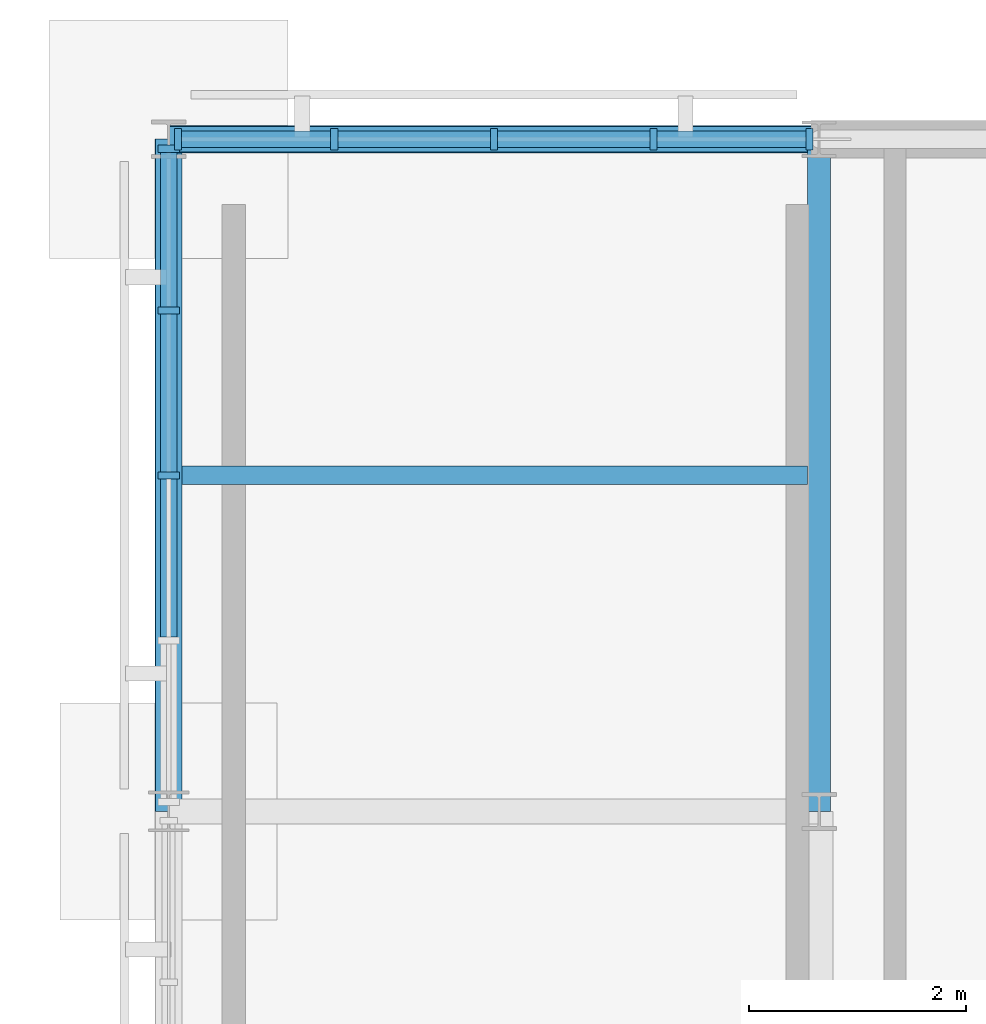
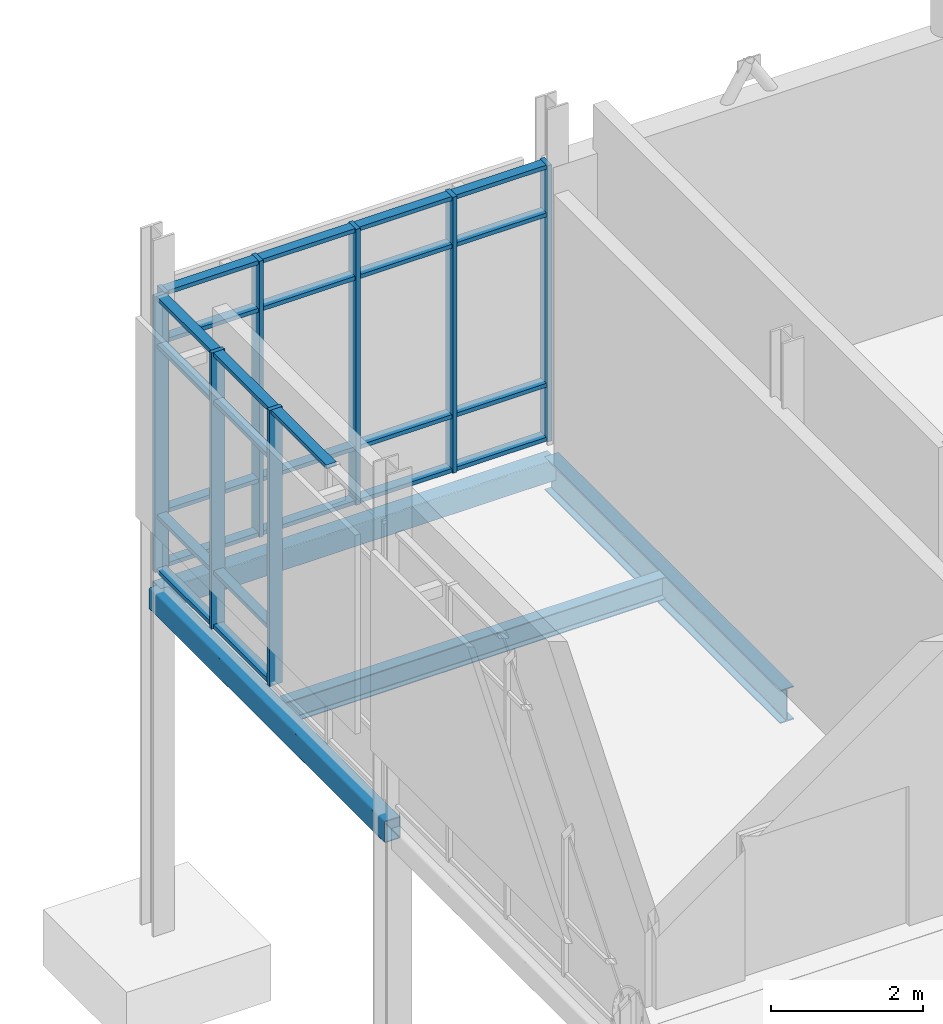
# One storey, part 48 of 98: 33 members, 4 beams, 2 elements without a shape of their own.
"""IFC4 building model written with IfcOpenShell, lengths in metres."""

from ifc_helpers import new_model, si_unit, direction, frame, origin, origin_2d, place, context, subcontext, project, spatial, rectangle, hollow_rectangle, i_section, extrude, material, layer, layer_set, material_profile, profile_set, type_object, element, aggregate, save


model = new_model("IFC4")

# Units and contexts
model_context = context("Model", 3, precision=1e-05, world=origin(), true_north=direction((0.0, 1.0)))
body_context = subcontext(model_context, "Body", "Model", "MODEL_VIEW")
ifc_project = project(units=[si_unit("LENGTHUNIT", "METRE"), si_unit("AREAUNIT", "SQUARE_METRE"), si_unit("VOLUMEUNIT", "CUBIC_METRE"), si_unit("PLANEANGLEUNIT", "RADIAN"), si_unit("MASSUNIT", "GRAM", prefix="KILO")], contexts=[model_context])

# Site, building, storey
site_placement = place(None, origin())
site = spatial("IfcSite", under=ifc_project, at=site_placement, CompositionType="ELEMENT")
building_placement = place(site_placement, origin())
building = spatial("IfcBuilding", under=site, at=building_placement, Name="Mirzam Square Science Centre", CompositionType="ELEMENT")
storey_placement = place(building_placement, origin())
storey = spatial("IfcBuildingStorey", under=building, at=storey_placement, Name="L00", CompositionType="ELEMENT", Elevation=0.0)

# Beam
ifc_material_1 = material(Name="Steel S355", Category="steel")
ifc_material_profile_1 = material_profile(ifc_material_1, i_section(OverallWidth=0.2099609375, OverallDepth=0.53662109375, WebThickness=0.0107421875, FlangeThickness=0.017333984375, FilletRadius=0.0126953125, at=origin_2d()), Name="533x210x101UB")
ifc_profile_set_1 = profile_set([ifc_material_profile_1], Name="Steel S355")
beam_type_1 = type_object("IfcBeamType", Name="BM-UB533", PredefinedType="BEAM", material=ifc_profile_set_1)
beam_1_placement = place(storey_placement, frame((120.0, 105.39990234375, -0.568359375), z_axis=(0.0, 1.0, 0.0), x_axis=(-1.0, 0.0, 0.0)))
element("IfcBeam", 1, at=beam_1_placement, inside=storey, type_object=beam_type_1, Name="L00 girder Y21-18", PredefinedType="BEAM", context=body_context, shape_type="SweptSolid", body=[
    extrude(i_section(OverallWidth=0.2099609375, OverallDepth=0.53662109375, WebThickness=0.0107421875, FlangeThickness=0.017333984375, FilletRadius=0.0126953125, at=origin_2d()), origin(), (0.0, 0.0, 1.0), 6.2001953125),
])

# Curtain wall, members
ifc_material_2 = material(Name="Anodised Aluminium and Low-E Solar Glass", Category="aluminium")
ifc_layer_1 = layer(ifc_material_2, 0.159912109375)
ifc_layer_set_1 = layer_set([ifc_layer_1], Name="CW-COURT-B")
curtain_wall_type_1 = type_object("IfcCurtainWallType", Name="CW-COURT-B", PredefinedType="USERDEFINED", material=ifc_layer_set_1)
curtain_wall_1_placement = place(storey_placement, origin())
curtain_wall_1 = element("IfcCurtainWall", 2, at=curtain_wall_1_placement, inside=storey, type_object=curtain_wall_type_1, Name="L00 unitised curtain wall 73", ObjectType="UNITISED CURTAIN WALL", PredefinedType="USERDEFINED")
ifc_material_3 = material(Name="Anodised Architectural Aluminium 6063-T6", Category="aluminium")
ifc_material_profile_2 = material_profile(ifc_material_3, rectangle(XDim=0.06494140625, YDim=0.199951171875, at=origin_2d()), Name="ALU-MULL-200x65x5")
ifc_profile_set_2 = profile_set([ifc_material_profile_2], Name="Anodised Architectural Aluminium 6063-T6")
member_type_1 = type_object("IfcMemberType", Name="CWM-200", PredefinedType="MULLION", material=ifc_profile_set_2)
member_1_placement = place(storey_placement, frame((119.91259765625, 111.60009765625, 0.0), z_axis=(0.0, 0.0, 1.0), x_axis=(-1.0, 0.0, 0.0)))
member_1 = element("IfcMember", 3, at=member_1_placement, type_object=member_type_1, Name="CW-04 mullion 1", PredefinedType="MULLION", context=body_context, shape_type="SweptSolid", body=[
    extrude(rectangle(XDim=0.06494140625, YDim=0.199951171875, at=origin_2d()), origin(), (0.0, 0.0, 1.0), 4.43994140625),
])
member_2_placement = place(storey_placement, frame((118.472412109375, 111.60009765625, 0.0), z_axis=(0.0, 0.0, 1.0), x_axis=(-1.0, 0.0, 0.0)))
member_2 = element("IfcMember", 4, at=member_2_placement, type_object=member_type_1, Name="CW-04 mullion 2", PredefinedType="MULLION", context=body_context, shape_type="SweptSolid", body=[
    extrude(rectangle(XDim=0.06494140625, YDim=0.199951171875, at=origin_2d()), origin(), (0.0, 0.0, 1.0), 4.43994140625),
])
member_3_placement = place(storey_placement, frame((117.0, 111.60009765625, 0.0), z_axis=(0.0, 0.0, 1.0), x_axis=(-1.0, 0.0, 0.0)))
member_3 = element("IfcMember", 5, at=member_3_placement, type_object=member_type_1, Name="CW-04 mullion 3", PredefinedType="MULLION", context=body_context, shape_type="SweptSolid", body=[
    extrude(rectangle(XDim=0.06494140625, YDim=0.199951171875, at=origin_2d()), origin(), (0.0, 0.0, 1.0), 4.43994140625),
])
member_4_placement = place(storey_placement, frame((115.527587890625, 111.60009765625, 0.0), z_axis=(0.0, 0.0, 1.0), x_axis=(-1.0, 0.0, 0.0)))
member_4 = element("IfcMember", 6, at=member_4_placement, type_object=member_type_1, Name="CW-04 mullion 4", PredefinedType="MULLION", context=body_context, shape_type="SweptSolid", body=[
    extrude(rectangle(XDim=0.06494140625, YDim=0.199951171875, at=origin_2d()), origin(), (0.0, 0.0, 1.0), 4.43994140625),
])
member_5_placement = place(storey_placement, frame((114.08740234375, 111.60009765625, 0.0), z_axis=(0.0, 0.0, 1.0), x_axis=(-1.0, 0.0, 0.0)))
member_5 = element("IfcMember", 7, at=member_5_placement, type_object=member_type_1, Name="CW-04 mullion 5", PredefinedType="MULLION", context=body_context, shape_type="SweptSolid", body=[
    extrude(rectangle(XDim=0.06494140625, YDim=0.199951171875, at=origin_2d()), origin(), (0.0, 0.0, 1.0), 4.43994140625),
])

ifc_layer_2 = layer(ifc_material_2, 0.199951171875)
ifc_layer_set_2 = layer_set([ifc_layer_2], Name="CW-EAST-A")
curtain_wall_type_2 = type_object("IfcCurtainWallType", Name="CW-EAST-A", PredefinedType="USERDEFINED", material=ifc_layer_set_2)
curtain_wall_2_placement = place(storey_placement, origin())
curtain_wall_2 = element("IfcCurtainWall", 8, at=curtain_wall_2_placement, inside=storey, type_object=curtain_wall_type_2, Name="L00 unitised curtain wall 80", ObjectType="UNITISED CURTAIN WALL", PredefinedType="USERDEFINED")
member_6_placement = place(storey_placement, frame((114.0, 111.512451171875, 0.0), z_axis=(0.0, 0.0, 1.0), x_axis=(0.0, -1.0, 0.0)))
member_6 = element("IfcMember", 9, at=member_6_placement, type_object=member_type_1, Name="CW-05 mullion 1", PredefinedType="MULLION", context=body_context, shape_type="SweptSolid", body=[
    extrude(rectangle(XDim=0.06494140625, YDim=0.199951171875, at=origin_2d()), origin(), (0.0, 0.0, 1.0), 4.43994140625),
])
member_7_placement = place(storey_placement, frame((114.0, 110.0224609375, 0.0), z_axis=(0.0, 0.0, 1.0), x_axis=(0.0, -1.0, 0.0)))
member_7 = element("IfcMember", 10, at=member_7_placement, type_object=member_type_1, Name="CW-05 mullion 2", PredefinedType="MULLION", context=body_context, shape_type="SweptSolid", body=[
    extrude(rectangle(XDim=0.06494140625, YDim=0.199951171875, at=origin_2d()), origin(), (0.0, 0.0, 1.0), 4.43994140625),
])
member_8_placement = place(storey_placement, frame((114.0, 108.5, 0.0), z_axis=(0.0, 0.0, 1.0), x_axis=(0.0, -1.0, 0.0)))
member_8 = element("IfcMember", 11, at=member_8_placement, type_object=member_type_1, Name="CW-05 mullion 3", PredefinedType="MULLION", context=body_context, shape_type="SweptSolid", body=[
    extrude(rectangle(XDim=0.06494140625, YDim=0.199951171875, at=origin_2d()), origin(), (0.0, 0.0, 1.0), 4.43994140625),
])

# Member
ifc_material_profile_3 = material_profile(ifc_material_3, rectangle(XDim=0.14990234375, YDim=0.06494140625, at=origin_2d()), Name="ALU-TRAN-150x65x4")
ifc_profile_set_3 = profile_set([ifc_material_profile_3], Name="Anodised Architectural Aluminium 6063-T6")
member_type_2 = type_object("IfcMemberType", Name="CWT-150", PredefinedType="USERDEFINED", material=ifc_profile_set_3)
member_9_placement = place(storey_placement, frame((119.8798828125, 111.60009765625, 0.032470703125), z_axis=(-1.0, 0.0, 0.0), x_axis=(0.0, -1.0, 0.0)))
member_9 = element("IfcMember", 12, at=member_9_placement, type_object=member_type_2, Name="CW-04 transom 1.1", ObjectType="TRANSOM", PredefinedType="USERDEFINED", context=body_context, shape_type="SweptSolid", body=[
    extrude(rectangle(XDim=0.14990234375, YDim=0.06494140625, at=origin_2d()), origin(), (0.0, 0.0, 1.0), 1.375),
])

member_10_placement = place(storey_placement, frame((119.8798828125, 111.60009765625, 0.89990234375), z_axis=(-1.0, 0.0, 0.0), x_axis=(0.0, -1.0, 0.0)))
member_10 = element("IfcMember", 13, at=member_10_placement, type_object=member_type_2, Name="CW-04 transom 1.2", ObjectType="TRANSOM", PredefinedType="USERDEFINED", context=body_context, shape_type="SweptSolid", body=[
    extrude(rectangle(XDim=0.14990234375, YDim=0.06494140625, at=origin_2d()), origin(), (0.0, 0.0, 1.0), 1.375),
])

member_11_placement = place(storey_placement, frame((119.8798828125, 111.60009765625, 3.639892578125), z_axis=(-1.0, 0.0, 0.0), x_axis=(0.0, -1.0, 0.0)))
member_11 = element("IfcMember", 14, at=member_11_placement, type_object=member_type_2, Name="CW-04 transom 1.3", ObjectType="TRANSOM", PredefinedType="USERDEFINED", context=body_context, shape_type="SweptSolid", body=[
    extrude(rectangle(XDim=0.14990234375, YDim=0.06494140625, at=origin_2d()), origin(), (0.0, 0.0, 1.0), 1.375),
])

member_12_placement = place(storey_placement, frame((119.8798828125, 111.60009765625, 4.407470703125), z_axis=(-1.0, 0.0, 0.0), x_axis=(0.0, -1.0, 0.0)))
member_12 = element("IfcMember", 15, at=member_12_placement, type_object=member_type_2, Name="CW-04 transom 1.4", ObjectType="TRANSOM", PredefinedType="USERDEFINED", context=body_context, shape_type="SweptSolid", body=[
    extrude(rectangle(XDim=0.14990234375, YDim=0.06494140625, at=origin_2d()), origin(), (0.0, 0.0, 1.0), 1.375),
])

member_13_placement = place(storey_placement, frame((118.43994140625, 111.60009765625, 0.032470703125), z_axis=(-1.0, 0.0, 0.0), x_axis=(0.0, -1.0, 0.0)))
member_13 = element("IfcMember", 16, at=member_13_placement, type_object=member_type_2, Name="CW-04 transom 2.1", ObjectType="TRANSOM", PredefinedType="USERDEFINED", context=body_context, shape_type="SweptSolid", body=[
    extrude(rectangle(XDim=0.14990234375, YDim=0.06494140625, at=origin_2d()), origin(), (0.0, 0.0, 1.0), 1.407470703125),
])

member_14_placement = place(storey_placement, frame((118.43994140625, 111.60009765625, 0.89990234375), z_axis=(-1.0, 0.0, 0.0), x_axis=(0.0, -1.0, 0.0)))
member_14 = element("IfcMember", 17, at=member_14_placement, type_object=member_type_2, Name="CW-04 transom 2.2", ObjectType="TRANSOM", PredefinedType="USERDEFINED", context=body_context, shape_type="SweptSolid", body=[
    extrude(rectangle(XDim=0.14990234375, YDim=0.06494140625, at=origin_2d()), origin(), (0.0, 0.0, 1.0), 1.407470703125),
])

member_15_placement = place(storey_placement, frame((118.43994140625, 111.60009765625, 3.639892578125), z_axis=(-1.0, 0.0, 0.0), x_axis=(0.0, -1.0, 0.0)))
member_15 = element("IfcMember", 18, at=member_15_placement, type_object=member_type_2, Name="CW-04 transom 2.3", ObjectType="TRANSOM", PredefinedType="USERDEFINED", context=body_context, shape_type="SweptSolid", body=[
    extrude(rectangle(XDim=0.14990234375, YDim=0.06494140625, at=origin_2d()), origin(), (0.0, 0.0, 1.0), 1.407470703125),
])

member_16_placement = place(storey_placement, frame((118.43994140625, 111.60009765625, 4.407470703125), z_axis=(-1.0, 0.0, 0.0), x_axis=(0.0, -1.0, 0.0)))
member_16 = element("IfcMember", 19, at=member_16_placement, type_object=member_type_2, Name="CW-04 transom 2.4", ObjectType="TRANSOM", PredefinedType="USERDEFINED", context=body_context, shape_type="SweptSolid", body=[
    extrude(rectangle(XDim=0.14990234375, YDim=0.06494140625, at=origin_2d()), origin(), (0.0, 0.0, 1.0), 1.407470703125),
])

member_17_placement = place(storey_placement, frame((116.967529296875, 111.60009765625, 0.032470703125), z_axis=(-1.0, 0.0, 0.0), x_axis=(0.0, -1.0, 0.0)))
member_17 = element("IfcMember", 20, at=member_17_placement, type_object=member_type_2, Name="CW-04 transom 3.1", ObjectType="TRANSOM", PredefinedType="USERDEFINED", context=body_context, shape_type="SweptSolid", body=[
    extrude(rectangle(XDim=0.14990234375, YDim=0.06494140625, at=origin_2d()), origin(), (0.0, 0.0, 1.0), 1.407470703125),
])

member_18_placement = place(storey_placement, frame((116.967529296875, 111.60009765625, 0.89990234375), z_axis=(-1.0, 0.0, 0.0), x_axis=(0.0, -1.0, 0.0)))
member_18 = element("IfcMember", 21, at=member_18_placement, type_object=member_type_2, Name="CW-04 transom 3.2", ObjectType="TRANSOM", PredefinedType="USERDEFINED", context=body_context, shape_type="SweptSolid", body=[
    extrude(rectangle(XDim=0.14990234375, YDim=0.06494140625, at=origin_2d()), origin(), (0.0, 0.0, 1.0), 1.407470703125),
])

member_19_placement = place(storey_placement, frame((116.967529296875, 111.60009765625, 3.639892578125), z_axis=(-1.0, 0.0, 0.0), x_axis=(0.0, -1.0, 0.0)))
member_19 = element("IfcMember", 22, at=member_19_placement, type_object=member_type_2, Name="CW-04 transom 3.3", ObjectType="TRANSOM", PredefinedType="USERDEFINED", context=body_context, shape_type="SweptSolid", body=[
    extrude(rectangle(XDim=0.14990234375, YDim=0.06494140625, at=origin_2d()), origin(), (0.0, 0.0, 1.0), 1.407470703125),
])

member_20_placement = place(storey_placement, frame((116.967529296875, 111.60009765625, 4.407470703125), z_axis=(-1.0, 0.0, 0.0), x_axis=(0.0, -1.0, 0.0)))
member_20 = element("IfcMember", 23, at=member_20_placement, type_object=member_type_2, Name="CW-04 transom 3.4", ObjectType="TRANSOM", PredefinedType="USERDEFINED", context=body_context, shape_type="SweptSolid", body=[
    extrude(rectangle(XDim=0.14990234375, YDim=0.06494140625, at=origin_2d()), origin(), (0.0, 0.0, 1.0), 1.407470703125),
])

member_21_placement = place(storey_placement, frame((115.4951171875, 111.60009765625, 0.032470703125), z_axis=(-1.0, 0.0, 0.0), x_axis=(0.0, -1.0, 0.0)))
member_21 = element("IfcMember", 24, at=member_21_placement, type_object=member_type_2, Name="CW-04 transom 4.1", ObjectType="TRANSOM", PredefinedType="USERDEFINED", context=body_context, shape_type="SweptSolid", body=[
    extrude(rectangle(XDim=0.14990234375, YDim=0.06494140625, at=origin_2d()), origin(), (0.0, 0.0, 1.0), 1.375),
])

member_22_placement = place(storey_placement, frame((115.4951171875, 111.60009765625, 0.89990234375), z_axis=(-1.0, 0.0, 0.0), x_axis=(0.0, -1.0, 0.0)))
member_22 = element("IfcMember", 25, at=member_22_placement, type_object=member_type_2, Name="CW-04 transom 4.2", ObjectType="TRANSOM", PredefinedType="USERDEFINED", context=body_context, shape_type="SweptSolid", body=[
    extrude(rectangle(XDim=0.14990234375, YDim=0.06494140625, at=origin_2d()), origin(), (0.0, 0.0, 1.0), 1.375),
])

member_23_placement = place(storey_placement, frame((115.4951171875, 111.60009765625, 3.639892578125), z_axis=(-1.0, 0.0, 0.0), x_axis=(0.0, -1.0, 0.0)))
member_23 = element("IfcMember", 26, at=member_23_placement, type_object=member_type_2, Name="CW-04 transom 4.3", ObjectType="TRANSOM", PredefinedType="USERDEFINED", context=body_context, shape_type="SweptSolid", body=[
    extrude(rectangle(XDim=0.14990234375, YDim=0.06494140625, at=origin_2d()), origin(), (0.0, 0.0, 1.0), 1.375),
])

member_24_placement = place(storey_placement, frame((115.4951171875, 111.60009765625, 4.407470703125), z_axis=(-1.0, 0.0, 0.0), x_axis=(0.0, -1.0, 0.0)))
member_24 = element("IfcMember", 27, at=member_24_placement, type_object=member_type_2, Name="CW-04 transom 4.4", ObjectType="TRANSOM", PredefinedType="USERDEFINED", context=body_context, shape_type="SweptSolid", body=[
    extrude(rectangle(XDim=0.14990234375, YDim=0.06494140625, at=origin_2d()), origin(), (0.0, 0.0, 1.0), 1.375),
])

aggregate(curtain_wall_1, [member_1, member_2, member_3, member_4, member_5, member_9, member_10, member_11, member_12, member_13, member_14, member_15, member_16, member_17, member_18, member_19, member_20, member_21, member_22, member_23, member_24])

member_25_placement = place(storey_placement, frame((114.0, 111.47998046875, 0.032470703125), z_axis=(0.0, -1.0, 0.0), x_axis=(1.0, 0.0, 0.0)))
member_25 = element("IfcMember", 28, at=member_25_placement, type_object=member_type_2, Name="CW-05 transom 1.1", ObjectType="TRANSOM", PredefinedType="USERDEFINED", context=body_context, shape_type="SweptSolid", body=[
    extrude(rectangle(XDim=0.14990234375, YDim=0.06494140625, at=origin_2d()), origin(), (0.0, 0.0, 1.0), 1.425048828125),
])

member_26_placement = place(storey_placement, frame((114.0, 111.47998046875, 0.89990234375), z_axis=(0.0, -1.0, 0.0), x_axis=(1.0, 0.0, 0.0)))
member_26 = element("IfcMember", 29, at=member_26_placement, type_object=member_type_2, Name="CW-05 transom 1.2", ObjectType="TRANSOM", PredefinedType="USERDEFINED", context=body_context, shape_type="SweptSolid", body=[
    extrude(rectangle(XDim=0.14990234375, YDim=0.06494140625, at=origin_2d()), origin(), (0.0, 0.0, 1.0), 1.425048828125),
])

member_27_placement = place(storey_placement, frame((114.0, 111.47998046875, 3.639892578125), z_axis=(0.0, -1.0, 0.0), x_axis=(1.0, 0.0, 0.0)))
member_27 = element("IfcMember", 30, at=member_27_placement, type_object=member_type_2, Name="CW-05 transom 1.3", ObjectType="TRANSOM", PredefinedType="USERDEFINED", context=body_context, shape_type="SweptSolid", body=[
    extrude(rectangle(XDim=0.14990234375, YDim=0.06494140625, at=origin_2d()), origin(), (0.0, 0.0, 1.0), 1.425048828125),
])

member_28_placement = place(storey_placement, frame((114.0, 111.47998046875, 4.407470703125), z_axis=(0.0, -1.0, 0.0), x_axis=(1.0, 0.0, 0.0)))
member_28 = element("IfcMember", 31, at=member_28_placement, type_object=member_type_2, Name="CW-05 transom 1.4", ObjectType="TRANSOM", PredefinedType="USERDEFINED", context=body_context, shape_type="SweptSolid", body=[
    extrude(rectangle(XDim=0.14990234375, YDim=0.06494140625, at=origin_2d()), origin(), (0.0, 0.0, 1.0), 1.425048828125),
])

member_29_placement = place(storey_placement, frame((114.0, 109.989990234375, 0.032470703125), z_axis=(0.0, -1.0, 0.0), x_axis=(1.0, 0.0, 0.0)))
member_29 = element("IfcMember", 32, at=member_29_placement, type_object=member_type_2, Name="CW-05 transom 2.1", ObjectType="TRANSOM", PredefinedType="USERDEFINED", context=body_context, shape_type="SweptSolid", body=[
    extrude(rectangle(XDim=0.14990234375, YDim=0.06494140625, at=origin_2d()), origin(), (0.0, 0.0, 1.0), 1.45751953125),
])

member_30_placement = place(storey_placement, frame((114.0, 109.989990234375, 0.89990234375), z_axis=(0.0, -1.0, 0.0), x_axis=(1.0, 0.0, 0.0)))
member_30 = element("IfcMember", 33, at=member_30_placement, type_object=member_type_2, Name="CW-05 transom 2.2", ObjectType="TRANSOM", PredefinedType="USERDEFINED", context=body_context, shape_type="SweptSolid", body=[
    extrude(rectangle(XDim=0.14990234375, YDim=0.06494140625, at=origin_2d()), origin(), (0.0, 0.0, 1.0), 1.45751953125),
])

member_31_placement = place(storey_placement, frame((114.0, 109.989990234375, 3.639892578125), z_axis=(0.0, -1.0, 0.0), x_axis=(1.0, 0.0, 0.0)))
member_31 = element("IfcMember", 34, at=member_31_placement, type_object=member_type_2, Name="CW-05 transom 2.3", ObjectType="TRANSOM", PredefinedType="USERDEFINED", context=body_context, shape_type="SweptSolid", body=[
    extrude(rectangle(XDim=0.14990234375, YDim=0.06494140625, at=origin_2d()), origin(), (0.0, 0.0, 1.0), 1.45751953125),
])

member_32_placement = place(storey_placement, frame((114.0, 109.989990234375, 4.407470703125), z_axis=(0.0, -1.0, 0.0), x_axis=(1.0, 0.0, 0.0)))
member_32 = element("IfcMember", 35, at=member_32_placement, type_object=member_type_2, Name="CW-05 transom 2.4", ObjectType="TRANSOM", PredefinedType="USERDEFINED", context=body_context, shape_type="SweptSolid", body=[
    extrude(rectangle(XDim=0.14990234375, YDim=0.06494140625, at=origin_2d()), origin(), (0.0, 0.0, 1.0), 1.45751953125),
])

member_33_placement = place(storey_placement, frame((114.0, 108.467529296875, 4.407470703125), z_axis=(0.0, -1.0, 0.0), x_axis=(1.0, 0.0, 0.0)))
member_33 = element("IfcMember", 36, at=member_33_placement, type_object=member_type_2, Name="CW-05 transom 3.4", ObjectType="TRANSOM", PredefinedType="USERDEFINED", context=body_context, shape_type="SweptSolid", body=[
    extrude(rectangle(XDim=0.14990234375, YDim=0.06494140625, at=origin_2d()), origin(), (0.0, 0.0, 1.0), 1.45751953125),
])

aggregate(curtain_wall_2, [member_6, member_7, member_8, member_25, member_26, member_27, member_28, member_29, member_30, member_31, member_32, member_33])

# Beams
ifc_material_profile_4 = material_profile(ifc_material_1, i_section(OverallWidth=0.172119140625, OverallDepth=0.35791015625, WebThickness=0.008056640625, FlangeThickness=0.012939453125, FilletRadius=0.01025390625, at=origin_2d()), Name="356x171x57UB")
ifc_profile_set_4 = profile_set([ifc_material_profile_4], Name="Steel S355")
beam_type_2 = type_object("IfcBeamType", Name="JS-UB356", PredefinedType="JOIST", material=ifc_profile_set_4)
beam_2_placement = place(storey_placement, frame((114.125, 108.5, -0.47900390625), z_axis=(1.0, 0.0, 0.0), x_axis=(0.0, 1.0, 0.0)))
element("IfcBeam", 37, at=beam_2_placement, inside=storey, type_object=beam_type_2, Name="L00 composite joist 20-18", PredefinedType="JOIST", context=body_context, shape_type="SweptSolid", body=[
    extrude(i_section(OverallWidth=0.172119140625, OverallDepth=0.35791015625, WebThickness=0.008056640625, FlangeThickness=0.012939453125, FilletRadius=0.01025390625, at=origin_2d()), origin(), (0.0, 0.0, 1.0), 5.77001953125),
])
ifc_material_profile_5 = material_profile(ifc_material_1, hollow_rectangle(XDim=0.25, YDim=0.35009765625, WallThickness=0.012451171875, InnerFilletRadius=0.012451171875, OuterFilletRadius=0.02490234375, at=origin_2d()), Name="350x250x12.5RHS")
ifc_profile_set_5 = profile_set([ifc_material_profile_5], Name="Steel S355")
beam_type_3 = type_object("IfcBeamType", Name="SP-RHS350", PredefinedType="SPANDREL", material=ifc_profile_set_5)
beam_3_placement = place(storey_placement, frame((114.0, 111.60009765625, -0.47509765625), z_axis=(1.0, 0.0, 0.0), x_axis=(0.0, 1.0, 0.0)))
element("IfcBeam", 38, at=beam_3_placement, inside=storey, type_object=beam_type_3, Name="L00 girder X20-19", PredefinedType="SPANDREL", context=body_context, shape_type="SweptSolid", body=[
    extrude(hollow_rectangle(XDim=0.25, YDim=0.35009765625, WallThickness=0.012451171875, InnerFilletRadius=0.012451171875, OuterFilletRadius=0.02490234375, at=origin_2d()), origin(), (0.0, 0.0, 1.0), 6.0),
])
beam_4_placement = place(storey_placement, frame((114.0, 105.39990234375, -0.47509765625), z_axis=(0.0, 1.0, 0.0), x_axis=(-1.0, 0.0, 0.0)))
element("IfcBeam", 39, at=beam_4_placement, inside=storey, type_object=beam_type_3, Name="L00 girder Y20-18", PredefinedType="SPANDREL", context=body_context, shape_type="SweptSolid", body=[
    extrude(hollow_rectangle(XDim=0.25, YDim=0.35009765625, WallThickness=0.012451171875, InnerFilletRadius=0.012451171875, OuterFilletRadius=0.02490234375, at=origin_2d()), origin(), (0.0, 0.0, 1.0), 6.2001953125),
])

save(model, "model.ifc")
